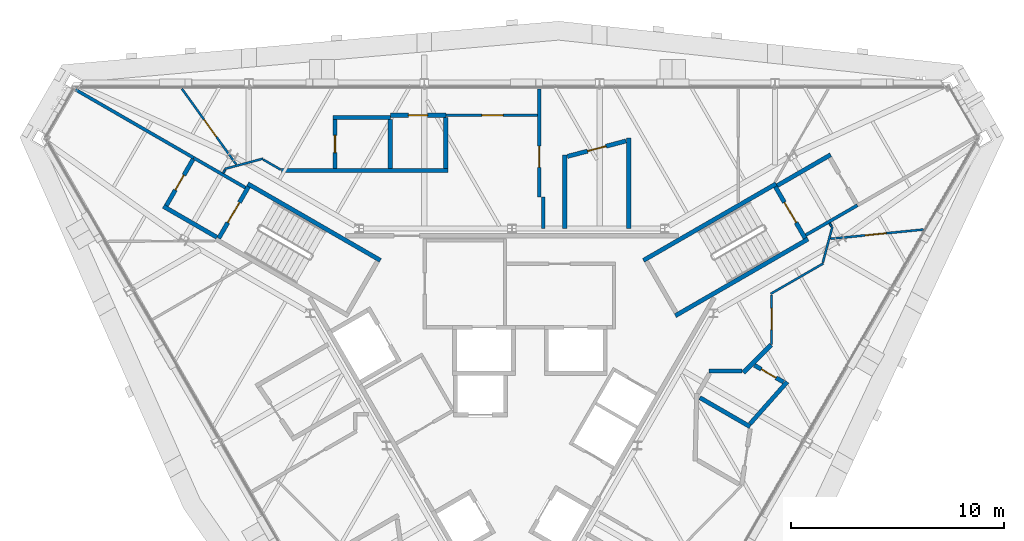
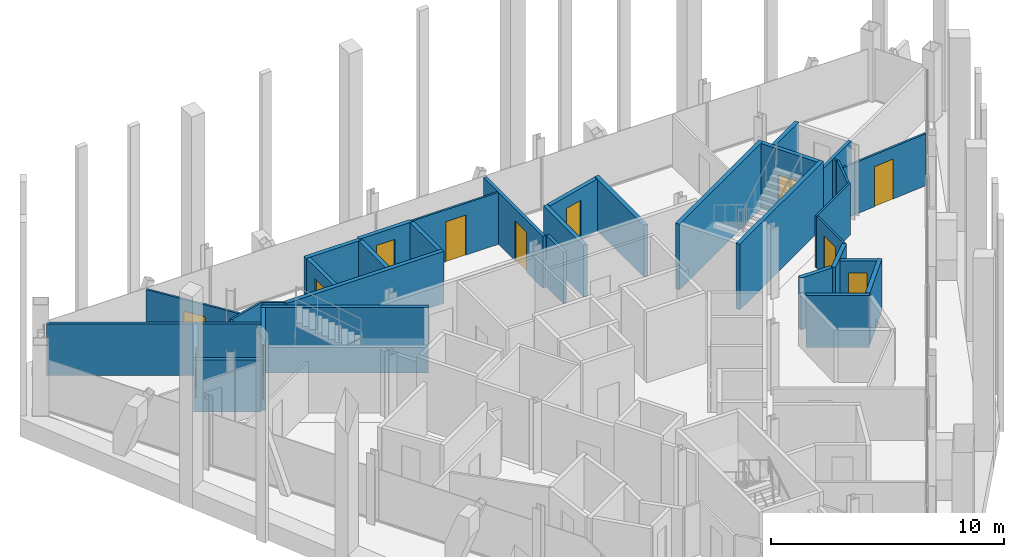
# One storey, part 10 of 13: 37 walls, 12 doors, 12 openings.
"""IFC4 building model written with IfcOpenShell, lengths in metres."""

from ifc_helpers import new_model, si_unit, direction, frame, frame_2d, origin, place, context, subcontext, project, spatial, rectangle, extrude, material, layer, layer_set, type_object, element, fill, save


model = new_model("IFC4")

# Units and contexts
model_context = context("Model", 3, precision=1e-05, world=origin(), true_north=direction((0.0, 1.0)))
body_context = subcontext(model_context, "Body", "Model", "MODEL_VIEW")
ifc_project = project(units=[si_unit("LENGTHUNIT", "METRE"), si_unit("AREAUNIT", "SQUARE_METRE"), si_unit("VOLUMEUNIT", "CUBIC_METRE"), si_unit("PLANEANGLEUNIT", "RADIAN"), si_unit("MASSUNIT", "GRAM", prefix="KILO")], contexts=[model_context])

# Site, building, storey
site_placement = place(None, origin())
site = spatial("IfcSite", under=ifc_project, at=site_placement, CompositionType="ELEMENT")
building_placement = place(site_placement, origin())
building = spatial("IfcBuilding", under=site, at=building_placement, Name="Verrane Prism Tower", CompositionType="ELEMENT")
storey_placement = place(building_placement, frame((0.0, 0.0, 275.10009765625)))
storey = spatial("IfcBuildingStorey", under=building, at=storey_placement, Name="L69", CompositionType="ELEMENT", Elevation=275.10009765625)

# Wall, opening, door
ifc_material_1 = material(Name="Concrete C40/50", Category="concrete")
ifc_layer_1 = layer(ifc_material_1, 0.199951171875)
ifc_layer_set_1 = layer_set([ifc_layer_1], Name="CW-200 stair core wall concrete C40/50 3 h")
wall_type_1 = type_object("IfcWallType", Name="CW-200 stair core wall concrete C40/50 3 h", PredefinedType="PARTITIONING", material=ifc_layer_set_1)
wall_1_placement = place(storey_placement, frame((13.777099609375, 6.337646484375, 0.0), z_axis=(0.0, 0.0, 1.0), x_axis=(-0.500049511043, 0.865996816683, 0.0)))
wall_1 = element("IfcWall", 1, at=wall_1_placement, inside=storey, type_object=wall_type_1, Name="Stair 1 enclosure wall", PredefinedType="PARTITIONING", context=body_context, shape_type="SweptSolid", body=[
    extrude(rectangle(XDim=2.800048828125, YDim=0.199951171875, at=frame_2d((1.39990234375, 0.0))), origin(), (0.0, 0.0, 1.0), 3.449951171875),
])
opening_1_placement = place(wall_1_placement, frame((0.849853515625, 0.0, 0.0)))
opening_1 = element("IfcOpeningElement", 2, at=opening_1_placement, cuts=wall_1, Name="Opening D69500", PredefinedType="OPENING", context=body_context, shape_type="SweptSolid", body=[
    extrude(rectangle(XDim=1.10009765625, YDim=2.10009765625, at=frame_2d((0.550048828125, 1.050048828125))), frame((0.0, 0.10986328125, 0.0), z_axis=(0.0, -1.0, 0.0), x_axis=(1.0, 0.0, 0.0)), (0.0, 0.0, 1.0), 0.219970703125),
])
ifc_material_2 = material(Name="Timber veneered door leaf", Category="wood")
door_type_1 = type_object("IfcDoorType", Name="DR-1100x2100 FD90 single leaf stair", OperationType="NOTDEFINED", PredefinedType="DOOR", material=ifc_material_2)
door_1_placement = place(opening_1_placement, origin())
door_1 = element("IfcDoor", 3, at=door_1_placement, inside=storey, type_object=door_type_1, Name="Stair 1 door", OperationType="SINGLE_SWING_LEFT", OverallHeight=2.10009765625, OverallWidth=1.10009765625, PredefinedType="DOOR", context=body_context, shape_type="SweptSolid", body=[
    extrude(rectangle(XDim=1.10009765625, YDim=2.10009765625, at=frame_2d((0.550048828125, 1.050048828125))), frame((0.0, 0.02490234375, 0.0), z_axis=(0.0, -1.0, 0.0), x_axis=(1.0, 0.0, 0.0)), (0.0, 0.0, 1.0), 0.050048828125),
])
fill(opening_1, door_1)

# Walls
for number, where, z_axis, x_axis, name in (
    (4, (6.17822265625, 5.299072265625, 0.0), (0.0, 0.0, 1.0), (0.866033125095, 0.499986626058, 0.0), "Stair 1 enclosure wall"),
    (5, (7.67822265625, 2.700927734375, 0.0), (0.0, 0.0, 1.0), (0.866018442252, 0.500012057535, 0.0), "Stair 1 enclosure wall"),
):
    element("IfcWall", number, at=place(storey_placement, frame(where, z_axis=z_axis, x_axis=x_axis)), inside=storey, type_object=wall_type_1, Name=name, PredefinedType="PARTITIONING", context=body_context, shape_type="SweptSolid", body=[
        extrude(rectangle(XDim=7.199951171875, YDim=0.199951171875, at=frame_2d((3.60009765625, 0.0))), origin(), (0.0, 0.0, 1.0), 3.449951171875),
    ])

# Wall, opening, door
wall_2_placement = place(storey_placement, frame((-12.376953125, 8.762451171875, 0.0), z_axis=(0.0, 0.0, 1.0), x_axis=(-0.500049511043, -0.865996816683, 0.0)))
wall_2 = element("IfcWall", 6, at=wall_2_placement, inside=storey, type_object=wall_type_1, Name="Stair 2 enclosure wall", PredefinedType="PARTITIONING", context=body_context, shape_type="SweptSolid", body=[
    extrude(rectangle(XDim=2.800048828125, YDim=0.199951171875, at=frame_2d((1.39990234375, 0.0))), origin(), (0.0, 0.0, 1.0), 3.449951171875),
])
opening_2_placement = place(wall_2_placement, frame((0.849853515625, 0.0, 0.0)))
opening_2 = element("IfcOpeningElement", 7, at=opening_2_placement, cuts=wall_2, Name="Opening D69501", PredefinedType="OPENING", context=body_context, shape_type="SweptSolid", body=[
    extrude(rectangle(XDim=1.10009765625, YDim=2.10009765625, at=frame_2d((0.550048828125, 1.050048828125))), frame((0.0, 0.10986328125, 0.0), z_axis=(0.0, -1.0, 0.0), x_axis=(1.0, 0.0, 0.0)), (0.0, 0.0, 1.0), 0.219970703125),
])
door_2_placement = place(opening_2_placement, origin())
door_2 = element("IfcDoor", 8, at=door_2_placement, inside=storey, type_object=door_type_1, Name="Stair 2 door", OperationType="SINGLE_SWING_RIGHT", OverallHeight=2.10009765625, OverallWidth=1.10009765625, PredefinedType="DOOR", context=body_context, shape_type="SweptSolid", body=[
    extrude(rectangle(XDim=1.10009765625, YDim=2.10009765625, at=frame_2d((0.550048828125, 1.050048828125))), frame((0.0, 0.02490234375, 0.0), z_axis=(0.0, -1.0, 0.0), x_axis=(1.0, 0.0, 0.0)), (0.0, 0.0, 1.0), 0.050048828125),
])
fill(opening_2, door_2)

# Wall
wall_3_placement = place(storey_placement, frame((-6.17822265625, 5.299072265625, 0.0), z_axis=(0.0, 0.0, 1.0), x_axis=(-0.866033125095, 0.499986626058, 0.0)))
element("IfcWall", 9, at=wall_3_placement, inside=storey, type_object=wall_type_1, Name="Stair 2 enclosure wall", PredefinedType="PARTITIONING", context=body_context, shape_type="SweptSolid", body=[
    extrude(rectangle(XDim=7.199951171875, YDim=0.199951171875, at=frame_2d((3.60009765625, 0.0))), origin(), (0.0, 0.0, 1.0), 3.449951171875),
])

# Wall, opening, door
ifc_material_3 = material(Name="Gypsum board partition", Category="other")
ifc_layer_2 = layer(ifc_material_3, 0.10009765625)
ifc_layer_set_2 = layer_set([ifc_layer_2], Name="PW-100 room partition")
wall_type_2 = type_object("IfcWallType", Name="PW-100 room partition", PredefinedType="PARTITIONING", material=ifc_layer_set_2)
wall_4_placement = place(storey_placement, frame((-12.957275390625, 9.811767578125, 0.0), z_axis=(0.0, 0.0, 1.0), x_axis=(-0.58313691272, 0.812373892381, 0.0)))
wall_4 = element("IfcWall", 10, at=wall_4_placement, inside=storey, type_object=wall_type_2, Name="Room partition 006", PredefinedType="PARTITIONING", context=body_context, shape_type="SweptSolid", body=[
    extrude(rectangle(XDim=4.375, YDim=0.10009765625, at=frame_2d((2.1875, 0.0))), origin(), (0.0, 0.0, 1.0), 2.722900390625),
])
opening_3_placement = place(wall_4_placement, frame((1.59033203125, 0.0, 0.0)))
opening_3 = element("IfcOpeningElement", 11, at=opening_3_placement, cuts=wall_4, Name="Opening D69017", PredefinedType="OPENING", context=body_context, shape_type="SweptSolid", body=[
    extrude(rectangle(XDim=1.0, YDim=2.10009765625, at=frame_2d((0.5, 1.050048828125))), frame((0.0, 0.06005859375, 0.0), z_axis=(0.0, -1.0, 0.0), x_axis=(1.0, 0.0, 0.0)), (0.0, 0.0, 1.0), 0.1201171875),
])
ifc_material_4 = material(Name="Timber veneered door leaf", Category="wood")
door_type_2 = type_object("IfcDoorType", Name="DR-1000x2100 single leaf inner", OperationType="NOTDEFINED", PredefinedType="DOOR", material=ifc_material_4)
door_3_placement = place(opening_3_placement, origin())
door_3 = element("IfcDoor", 12, at=door_3_placement, inside=storey, type_object=door_type_2, Name="Living And Dining Room door", OperationType="SINGLE_SWING_RIGHT", OverallHeight=2.10009765625, OverallWidth=1.0, PredefinedType="DOOR", context=body_context, shape_type="SweptSolid", body=[
    extrude(rectangle(XDim=1.0, YDim=2.10009765625, at=frame_2d((0.5, 1.050048828125))), frame((0.0, 0.02490234375, 0.0), z_axis=(0.0, -1.0, 0.0), x_axis=(1.0, 0.0, 0.0)), (0.0, 0.0, 1.0), 0.050048828125),
])
fill(opening_3, door_3)

# Walls
wall_5_placement = place(storey_placement, frame((-13.5654296875, 9.404052734375, 0.0), z_axis=(0.0, 0.0, 1.0), x_axis=(0.500181256421, 0.865920730047, 0.0)))
element("IfcWall", 13, at=wall_5_placement, inside=storey, type_object=wall_type_2, Name="Room partition 008", PredefinedType="PARTITIONING", context=body_context, shape_type="SweptSolid", body=[
    extrude(rectangle(XDim=0.1689453125, YDim=0.10009765625, at=frame_2d((0.08447265625, 0.0))), origin(), (0.0, 0.0, 1.0), 2.722900390625),
])
wall_6_placement = place(storey_placement, frame((-13.494384765625, 9.59814453125, 0.0), z_axis=(0.0, 0.0, 1.0), x_axis=(0.96601104623, 0.258500790254, 0.0)))
element("IfcWall", 14, at=wall_6_placement, inside=storey, type_object=wall_type_2, Name="Room partition 009", PredefinedType="PARTITIONING", context=body_context, shape_type="SweptSolid", body=[
    extrude(rectangle(XDim=1.8671875, YDim=0.10009765625, at=frame_2d((0.93359375, 0.0))), origin(), (0.0, 0.0, 1.0), 2.722900390625),
])
wall_7_placement = place(storey_placement, frame((-11.678466796875, 10.032958984375, 0.0), z_axis=(0.0, 0.0, 1.0), x_axis=(0.866116627388, -0.499841962787, 0.0)))
element("IfcWall", 15, at=wall_7_placement, inside=storey, type_object=wall_type_2, Name="Room partition 013", PredefinedType="PARTITIONING", context=body_context, shape_type="SweptSolid", body=[
    extrude(rectangle(XDim=0.943115234375, YDim=0.10009765625, at=frame_2d((0.4716796875, 0.0))), origin(), (0.0, 0.0, 1.0), 2.722900390625),
])

# Wall, opening, door
wall_8_placement = place(storey_placement, frame((-3.10888671875, 12.118896484375, 0.0), z_axis=(0.0, 0.0, 1.0), x_axis=(1.0, 0.0, 0.0)))
wall_8 = element("IfcWall", 16, at=wall_8_placement, inside=storey, type_object=wall_type_2, Name="Room partition 034", PredefinedType="PARTITIONING", context=body_context, shape_type="SweptSolid", body=[
    extrude(rectangle(XDim=4.31982421875, YDim=0.10009765625, at=frame_2d((2.159912109375, 0.0))), origin(), (0.0, 0.0, 1.0), 2.722900390625),
])
opening_4_placement = place(wall_8_placement, frame((1.699951171875, 0.0, 0.0)))
opening_4 = element("IfcOpeningElement", 17, at=opening_4_placement, cuts=wall_8, Name="Opening D69015", PredefinedType="OPENING", context=body_context, shape_type="SweptSolid", body=[
    extrude(rectangle(XDim=1.0, YDim=2.10009765625, at=frame_2d((0.5, 1.050048828125))), frame((0.0, 0.06005859375, 0.0), z_axis=(0.0, -1.0, 0.0), x_axis=(1.0, 0.0, 0.0)), (0.0, 0.0, 1.0), 0.1201171875),
])
door_4_placement = place(opening_4_placement, origin())
door_4 = element("IfcDoor", 18, at=door_4_placement, inside=storey, type_object=door_type_2, Name="Entrance Foyer door", OperationType="SINGLE_SWING_LEFT", OverallHeight=2.10009765625, OverallWidth=1.0, PredefinedType="DOOR", context=body_context, shape_type="SweptSolid", body=[
    extrude(rectangle(XDim=1.0, YDim=2.10009765625, at=frame_2d((0.5, 1.050048828125))), frame((0.0, 0.02490234375, 0.0), z_axis=(0.0, -1.0, 0.0), x_axis=(1.0, 0.0, 0.0)), (0.0, 0.0, 1.0), 0.050048828125),
])
fill(opening_4, door_4)

wall_9_placement = place(storey_placement, frame((12.198974609375, 3.681884765625, 0.0), z_axis=(0.0, 0.0, 1.0), x_axis=(0.0, -1.0, 0.0)))
wall_9 = element("IfcWall", 19, at=wall_9_placement, inside=storey, type_object=wall_type_2, Name="Room partition 066", PredefinedType="PARTITIONING", context=body_context, shape_type="SweptSolid", body=[
    extrude(rectangle(XDim=2.330810546875, YDim=0.10009765625, at=frame_2d((1.16552734375, 0.0))), origin(), (0.0, 0.0, 1.0), 2.722900390625),
])
opening_5_placement = place(wall_9_placement, frame((0.631103515625, 0.0, 0.0)))
opening_5 = element("IfcOpeningElement", 20, at=opening_5_placement, cuts=wall_9, Name="Opening D69006", PredefinedType="OPENING", context=body_context, shape_type="SweptSolid", body=[
    extrude(rectangle(XDim=1.0, YDim=2.10009765625, at=frame_2d((0.5, 1.050048828125))), frame((0.0, 0.06005859375, 0.0), z_axis=(0.0, -1.0, 0.0), x_axis=(1.0, 0.0, 0.0)), (0.0, 0.0, 1.0), 0.1201171875),
])
door_5_placement = place(opening_5_placement, origin())
door_5 = element("IfcDoor", 21, at=door_5_placement, inside=storey, type_object=door_type_2, Name="Entrance Foyer door", OperationType="SINGLE_SWING_LEFT", OverallHeight=2.10009765625, OverallWidth=1.0, PredefinedType="DOOR", context=body_context, shape_type="SweptSolid", body=[
    extrude(rectangle(XDim=1.0, YDim=2.10009765625, at=frame_2d((0.5, 1.050048828125))), frame((0.0, 0.02490234375, 0.0), z_axis=(0.0, -1.0, 0.0), x_axis=(1.0, 0.0, 0.0)), (0.0, 0.0, 1.0), 0.050048828125),
])
fill(opening_5, door_5)

# Walls
wall_10_placement = place(storey_placement, frame((12.15576171875, 3.72705078125, 0.0), z_axis=(0.0, 0.0, 1.0), x_axis=(0.866012137121, 0.500022977831, 0.0)))
element("IfcWall", 22, at=wall_10_placement, inside=storey, type_object=wall_type_2, Name="Room partition 067", PredefinedType="PARTITIONING", context=body_context, shape_type="SweptSolid", body=[
    extrude(rectangle(XDim=2.859619140625, YDim=0.10009765625, at=frame_2d((1.4296875, 0.0))), origin(), (0.0, 0.0, 1.0), 2.722900390625),
])
wall_11_placement = place(storey_placement, frame((14.607177734375, 5.19970703125, 0.0), z_axis=(0.0, 0.0, 1.0), x_axis=(0.258549793661, 0.965997931777, 0.0)))
element("IfcWall", 23, at=wall_11_placement, inside=storey, type_object=wall_type_2, Name="Room partition 071", PredefinedType="PARTITIONING", context=body_context, shape_type="SweptSolid", body=[
    extrude(rectangle(XDim=1.746826171875, YDim=0.10009765625, at=frame_2d((0.87353515625, 0.0))), origin(), (0.0, 0.0, 1.0), 2.722900390625),
])
wall_12_placement = place(storey_placement, frame((14.926513671875, 7.046875, 0.0), z_axis=(0.0, 0.0, 1.0), x_axis=(0.497687197367, -0.867356589631, 0.0)))
element("IfcWall", 24, at=wall_12_placement, inside=storey, type_object=wall_type_2, Name="Room partition 073", PredefinedType="PARTITIONING", context=body_context, shape_type="SweptSolid", body=[
    extrude(rectangle(XDim=0.169677734375, YDim=0.10009765625, at=frame_2d((0.0849609375, 0.0))), origin(), (0.0, 0.0, 1.0), 2.722900390625),
])

# Wall, opening, door
wall_13_placement = place(storey_placement, frame((14.975830078125, 6.315185546875, 0.0), z_axis=(0.0, 0.0, 1.0), x_axis=(0.995082940066, 0.09904515329, 0.0)))
wall_13 = element("IfcWall", 25, at=wall_13_placement, inside=storey, type_object=wall_type_2, Name="Room partition 074", PredefinedType="PARTITIONING", context=body_context, shape_type="SweptSolid", body=[
    extrude(rectangle(XDim=4.375244140625, YDim=0.10009765625, at=frame_2d((2.1875, 0.0))), origin(), (0.0, 0.0, 1.0), 2.722900390625),
])
opening_6_placement = place(wall_13_placement, frame((1.627685546875, 0.0, 0.0)))
opening_6 = element("IfcOpeningElement", 26, at=opening_6_placement, cuts=wall_13, Name="Opening D69008", PredefinedType="OPENING", context=body_context, shape_type="SweptSolid", body=[
    extrude(rectangle(XDim=1.0, YDim=2.10009765625, at=frame_2d((0.5, 1.050048828125))), frame((0.0, 0.06005859375, 0.0), z_axis=(0.0, -1.0, 0.0), x_axis=(1.0, 0.0, 0.0)), (0.0, 0.0, 1.0), 0.1201171875),
])
door_6_placement = place(opening_6_placement, origin())
door_6 = element("IfcDoor", 27, at=door_6_placement, inside=storey, type_object=door_type_2, Name="Living And Dining Room door", OperationType="SINGLE_SWING_RIGHT", OverallHeight=2.10009765625, OverallWidth=1.0, PredefinedType="DOOR", context=body_context, shape_type="SweptSolid", body=[
    extrude(rectangle(XDim=1.0, YDim=2.10009765625, at=frame_2d((0.5, 1.050048828125))), frame((0.0, 0.02490234375, 0.0), z_axis=(0.0, -1.0, 0.0), x_axis=(1.0, 0.0, 0.0)), (0.0, 0.0, 1.0), 0.050048828125),
])
fill(opening_6, door_6)

# Walls
ifc_material_5 = material(Name="Gypsum board partition", Category="other")
ifc_layer_3 = layer(ifc_material_5, 0.14990234375)
ifc_layer_set_3 = layer_set([ifc_layer_3], Name="PW-150 demising wall 1 h")
wall_type_3 = type_object("IfcWallType", Name="PW-150 demising wall 1 h", PredefinedType="PARTITIONING", material=ifc_layer_set_3)
wall_14_placement = place(storey_placement, frame((-20.505859375, 13.323974609375, 0.0), z_axis=(0.0, 0.0, 1.0), x_axis=(0.866004971522, -0.500035388047, 0.0)))
element("IfcWall", 28, at=wall_14_placement, inside=storey, type_object=wall_type_3, Name="Demising wall 001", PredefinedType="PARTITIONING", context=body_context, shape_type="SweptSolid", body=[
    extrude(rectangle(XDim=6.41552734375, YDim=0.14990234375, at=frame_2d((3.207763671875, 0.0))), origin(), (0.0, 0.0, 1.0), 2.722900390625),
])
wall_15_placement = place(storey_placement, frame((-14.945068359375, 10.114013671875, 0.0), z_axis=(0.0, 0.0, 1.0), x_axis=(0.865969158485, -0.500097407065, 0.0)))
element("IfcWall", 29, at=wall_15_placement, inside=storey, type_object=wall_type_3, Name="Demising wall 007", PredefinedType="PARTITIONING", context=body_context, shape_type="SweptSolid", body=[
    extrude(rectangle(XDim=2.79931640625, YDim=0.14990234375, at=frame_2d((1.399658203125, 0.0))), origin(), (0.0, 0.0, 1.0), 2.722900390625),
])

# Wall, opening, door
wall_16_placement = place(storey_placement, frame((1.285888671875, 13.35107421875, 0.0), z_axis=(0.0, 0.0, 1.0), x_axis=(0.0, -1.0, 0.0)))
wall_16 = element("IfcWall", 30, at=wall_16_placement, inside=storey, type_object=wall_type_3, Name="Demising wall 042", PredefinedType="PARTITIONING", context=body_context, shape_type="SweptSolid", body=[
    extrude(rectangle(XDim=5.08203125, YDim=0.14990234375, at=frame_2d((2.541015625, 0.0))), origin(), (0.0, 0.0, 1.0), 2.722900390625),
])
opening_7_placement = place(wall_16_placement, frame((2.681884765625, 0.0, 0.0)))
opening_7 = element("IfcOpeningElement", 31, at=opening_7_placement, cuts=wall_16, Name="Opening D69011", PredefinedType="OPENING", context=body_context, shape_type="SweptSolid", body=[
    extrude(rectangle(XDim=1.0, YDim=2.10009765625, at=frame_2d((0.5, 1.050048828125))), frame((0.0, 0.0849609375, 0.0), z_axis=(0.0, -1.0, 0.0), x_axis=(1.0, 0.0, 0.0)), (0.0, 0.0, 1.0), 0.169921875),
])
ifc_material_6 = material(Name="Timber veneered door leaf", Category="wood")
door_type_3 = type_object("IfcDoorType", Name="DR-1000x2100 FD20 single leaf inner", OperationType="NOTDEFINED", PredefinedType="DOOR", material=ifc_material_6)
door_7_placement = place(opening_7_placement, origin())
door_7 = element("IfcDoor", 32, at=door_7_placement, inside=storey, type_object=door_type_3, Name="Entrance Foyer door", OperationType="SINGLE_SWING_RIGHT", OverallHeight=2.10009765625, OverallWidth=1.0, PredefinedType="DOOR", context=body_context, shape_type="SweptSolid", body=[
    extrude(rectangle(XDim=1.0, YDim=2.10009765625, at=frame_2d((0.5, 1.050048828125))), frame((0.0, 0.02490234375, 0.0), z_axis=(0.0, -1.0, 0.0), x_axis=(1.0, 0.0, 0.0)), (0.0, 0.0, 1.0), 0.050048828125),
])
fill(opening_7, door_7)

# Walls
wall_17_placement = place(storey_placement, frame((1.468994140625, 6.800048828125, 0.0), z_axis=(0.0, 0.0, 1.0), x_axis=(0.0, 1.0, 0.0)))
element("IfcWall", 33, at=wall_17_placement, inside=storey, type_object=wall_type_3, Name="Demising wall 044", PredefinedType="PARTITIONING", context=body_context, shape_type="SweptSolid", body=[
    extrude(rectangle(XDim=1.468994140625, YDim=0.14990234375, at=frame_2d((0.734375, 0.0))), origin(), (0.0, 0.0, 1.0), 2.722900390625),
])
wall_18_placement = place(storey_placement, frame((13.805908203125, 6.487060546875, 0.0), z_axis=(0.0, 0.0, 1.0), x_axis=(0.866056369097, 0.49994636267, 0.0)))
element("IfcWall", 34, at=wall_18_placement, inside=storey, type_object=wall_type_3, Name="Demising wall 070", PredefinedType="PARTITIONING", context=body_context, shape_type="SweptSolid", body=[
    extrude(rectangle(XDim=2.800048828125, YDim=0.14990234375, at=frame_2d((1.39990234375, 0.0))), origin(), (0.0, 0.0, 1.0), 2.722900390625),
])

# Wall, opening, door
ifc_material_7 = material(Name="Gypsum board partition", Category="other")
ifc_layer_4 = layer(ifc_material_7, 0.199951171875)
ifc_layer_set_4 = layer_set([ifc_layer_4], Name="PW-200 plumbing wall")
wall_type_4 = type_object("IfcWallType", Name="PW-200 plumbing wall", PredefinedType="PARTITIONING", material=ifc_layer_set_4)
wall_19_placement = place(storey_placement, frame((-14.985107421875, 10.044677734375, 0.0), z_axis=(0.0, 0.0, 1.0), x_axis=(-0.499995137693, -0.86602821102, 0.0)))
wall_19 = element("IfcWall", 35, at=wall_19_placement, inside=storey, type_object=wall_type_4, Name="Plumbing wall 004", PredefinedType="PARTITIONING", context=body_context, shape_type="SweptSolid", body=[
    extrude(rectangle(XDim=2.505859375, YDim=0.199951171875, at=frame_2d((1.2529296875, 0.0))), origin(), (0.0, 0.0, 1.0), 2.722900390625),
])
opening_8_placement = place(wall_19_placement, frame((0.85595703125, 0.0, 0.0)))
opening_8 = element("IfcOpeningElement", 36, at=opening_8_placement, cuts=wall_19, Name="Opening D69023", PredefinedType="OPENING", context=body_context, shape_type="SweptSolid", body=[
    extrude(rectangle(XDim=0.800048828125, YDim=2.10009765625, at=frame_2d((0.39990234375, 1.050048828125))), frame((0.0, 0.10986328125, 0.0), z_axis=(0.0, -1.0, 0.0), x_axis=(1.0, 0.0, 0.0)), (0.0, 0.0, 1.0), 0.219970703125),
])
ifc_material_8 = material(Name="Timber veneered door leaf", Category="wood")
door_type_4 = type_object("IfcDoorType", Name="DR-800x2100 single leaf bath", OperationType="NOTDEFINED", PredefinedType="DOOR", material=ifc_material_8)
door_8_placement = place(opening_8_placement, origin())
door_8 = element("IfcDoor", 37, at=door_8_placement, inside=storey, type_object=door_type_4, Name="Master Bathroom door", OperationType="SINGLE_SWING_RIGHT", OverallHeight=2.10009765625, OverallWidth=0.800048828125, PredefinedType="DOOR", context=body_context, shape_type="SweptSolid", body=[
    extrude(rectangle(XDim=0.800048828125, YDim=2.10009765625, at=frame_2d((0.39990234375, 1.050048828125))), frame((0.0, 0.02490234375, 0.0), z_axis=(0.0, -1.0, 0.0), x_axis=(1.0, 0.0, 0.0)), (0.0, 0.0, 1.0), 0.050048828125),
])
fill(opening_8, door_8)

# Walls
wall_20_placement = place(storey_placement, frame((-16.37451171875, 7.838134765625, 0.0), z_axis=(0.0, 0.0, 1.0), x_axis=(0.865912083802, -0.500196224622, 0.0)))
element("IfcWall", 38, at=wall_20_placement, inside=storey, type_object=wall_type_4, Name="Plumbing wall 005", PredefinedType="PARTITIONING", context=body_context, shape_type="SweptSolid", body=[
    extrude(rectangle(XDim=2.899169921875, YDim=0.199951171875, at=frame_2d((1.44970703125, 0.0))), origin(), (0.0, 0.0, 1.0), 2.722900390625),
])
wall_21_placement = place(storey_placement, frame((-10.837890625, 9.51904296875, 0.0), z_axis=(0.0, 0.0, 1.0), x_axis=(1.0, 0.0, 0.0)))
element("IfcWall", 39, at=wall_21_placement, inside=storey, type_object=wall_type_4, Name="Plumbing wall 015", PredefinedType="PARTITIONING", context=body_context, shape_type="SweptSolid", body=[
    extrude(rectangle(XDim=7.823974609375, YDim=0.199951171875, at=frame_2d((3.912109375, 0.0))), origin(), (0.0, 0.0, 1.0), 2.722900390625),
])

# Wall, opening, door
wall_22_placement = place(storey_placement, frame((-8.31396484375, 11.9189453125, 0.0), z_axis=(0.0, 0.0, 1.0), x_axis=(0.0, -1.0, 0.0)))
wall_22 = element("IfcWall", 40, at=wall_22_placement, inside=storey, type_object=wall_type_4, Name="Plumbing wall 017", PredefinedType="PARTITIONING", context=body_context, shape_type="SweptSolid", body=[
    extrude(rectangle(XDim=2.300048828125, YDim=0.199951171875, at=frame_2d((1.14990234375, 0.0))), origin(), (0.0, 0.0, 1.0), 2.722900390625),
])
opening_9_placement = place(wall_22_placement, frame((0.75, 0.0, 0.0)))
opening_9 = element("IfcOpeningElement", 41, at=opening_9_placement, cuts=wall_22, Name="Opening D69018", PredefinedType="OPENING", context=body_context, shape_type="SweptSolid", body=[
    extrude(rectangle(XDim=0.800048828125, YDim=2.10009765625, at=frame_2d((0.39990234375, 1.050048828125))), frame((0.0, 0.10986328125, 0.0), z_axis=(0.0, -1.0, 0.0), x_axis=(1.0, 0.0, 0.0)), (0.0, 0.0, 1.0), 0.219970703125),
])
ifc_material_9 = material(Name="Timber veneered door leaf", Category="wood")
door_type_5 = type_object("IfcDoorType", Name="DR-800x2100 single leaf inner", OperationType="NOTDEFINED", PredefinedType="DOOR", material=ifc_material_9)
door_9_placement = place(opening_9_placement, origin())
door_9 = element("IfcDoor", 42, at=door_9_placement, inside=storey, type_object=door_type_5, Name="Bathroom door", OperationType="SINGLE_SWING_LEFT", OverallHeight=2.10009765625, OverallWidth=0.800048828125, PredefinedType="DOOR", context=body_context, shape_type="SweptSolid", body=[
    extrude(rectangle(XDim=0.800048828125, YDim=2.10009765625, at=frame_2d((0.39990234375, 1.050048828125))), frame((0.0, 0.02490234375, 0.0), z_axis=(0.0, -1.0, 0.0), x_axis=(1.0, 0.0, 0.0)), (0.0, 0.0, 1.0), 0.050048828125),
])
fill(opening_9, door_9)

# Walls
wall_23_placement = place(storey_placement, frame((-8.4140625, 12.01904296875, 0.0), z_axis=(0.0, 0.0, 1.0), x_axis=(1.0, 0.0, 0.0)))
element("IfcWall", 43, at=wall_23_placement, inside=storey, type_object=wall_type_4, Name="Plumbing wall 018", PredefinedType="PARTITIONING", context=body_context, shape_type="SweptSolid", body=[
    extrude(rectangle(XDim=2.699951171875, YDim=0.199951171875, at=frame_2d((1.35009765625, 0.0))), origin(), (0.0, 0.0, 1.0), 2.722900390625),
])
wall_24_placement = place(storey_placement, frame((-5.714111328125, 9.618896484375, 0.0), z_axis=(0.0, 0.0, 1.0), x_axis=(0.0, 1.0, 0.0)))
element("IfcWall", 44, at=wall_24_placement, inside=storey, type_object=wall_type_4, Name="Plumbing wall 025", PredefinedType="PARTITIONING", context=body_context, shape_type="SweptSolid", body=[
    extrude(rectangle(XDim=2.300048828125, YDim=0.199951171875, at=frame_2d((1.14990234375, 0.0))), origin(), (0.0, 0.0, 1.0), 2.722900390625),
])

# Wall, opening, door
wall_25_placement = place(storey_placement, frame((-3.10888671875, 12.118896484375, 0.0), z_axis=(0.0, 0.0, 1.0), x_axis=(-1.0, 0.0, 0.0)))
wall_25 = element("IfcWall", 45, at=wall_25_placement, inside=storey, type_object=wall_type_4, Name="Plumbing wall 026", PredefinedType="PARTITIONING", context=body_context, shape_type="SweptSolid", body=[
    extrude(rectangle(XDim=2.605224609375, YDim=0.199951171875, at=frame_2d((1.302734375, 0.0))), origin(), (0.0, 0.0, 1.0), 2.722900390625),
])
opening_10_placement = place(wall_25_placement, frame((0.85498046875, 0.0, 0.0)))
opening_10 = element("IfcOpeningElement", 46, at=opening_10_placement, cuts=wall_25, Name="Opening D69016", PredefinedType="OPENING", context=body_context, shape_type="SweptSolid", body=[
    extrude(rectangle(XDim=0.89990234375, YDim=2.10009765625, at=frame_2d((0.449951171875, 1.050048828125))), frame((0.0, 0.10986328125, 0.0), z_axis=(0.0, -1.0, 0.0), x_axis=(1.0, 0.0, 0.0)), (0.0, 0.0, 1.0), 0.219970703125),
])
ifc_material_10 = material(Name="Timber veneered door leaf", Category="wood")
door_type_6 = type_object("IfcDoorType", Name="DR-900x2100 single leaf inner", OperationType="NOTDEFINED", PredefinedType="DOOR", material=ifc_material_10)
door_10_placement = place(opening_10_placement, origin())
door_10 = element("IfcDoor", 47, at=door_10_placement, inside=storey, type_object=door_type_6, Name="Kitchen door", OperationType="SINGLE_SWING_LEFT", OverallHeight=2.10009765625, OverallWidth=0.89990234375, PredefinedType="DOOR", context=body_context, shape_type="SweptSolid", body=[
    extrude(rectangle(XDim=0.89990234375, YDim=2.10009765625, at=frame_2d((0.449951171875, 1.050048828125))), frame((0.0, 0.02490234375, 0.0), z_axis=(0.0, -1.0, 0.0), x_axis=(1.0, 0.0, 0.0)), (0.0, 0.0, 1.0), 0.050048828125),
])
fill(opening_10, door_10)

# Walls
wall_26_placement = place(storey_placement, frame((-3.114013671875, 9.618896484375, 0.0), z_axis=(0.0, 0.0, 1.0), x_axis=(0.0, 1.0, 0.0)))
element("IfcWall", 48, at=wall_26_placement, inside=storey, type_object=wall_type_4, Name="Plumbing wall 033", PredefinedType="PARTITIONING", context=body_context, shape_type="SweptSolid", body=[
    extrude(rectangle(XDim=2.400146484375, YDim=0.199951171875, at=frame_2d((1.2001953125, 0.0))), origin(), (0.0, 0.0, 1.0), 2.722900390625),
])
wall_27_placement = place(storey_placement, frame((2.486083984375, 6.800048828125, 0.0), z_axis=(0.0, 0.0, 1.0), x_axis=(0.0, 1.0, 0.0)))
element("IfcWall", 49, at=wall_27_placement, inside=storey, type_object=wall_type_4, Name="Plumbing wall 048", PredefinedType="PARTITIONING", context=body_context, shape_type="SweptSolid", body=[
    extrude(rectangle(XDim=3.452880859375, YDim=0.199951171875, at=frame_2d((1.7265625, 0.0))), origin(), (0.0, 0.0, 1.0), 2.722900390625),
])

# Wall, opening, door
wall_28_placement = place(storey_placement, frame((5.3603515625, 10.911865234375, 0.0), z_axis=(0.0, 0.0, 1.0), x_axis=(-0.966866921155, -0.255280936963, 0.0)))
wall_28 = element("IfcWall", 50, at=wall_28_placement, inside=storey, type_object=wall_type_4, Name="Plumbing wall 049", PredefinedType="PARTITIONING", context=body_context, shape_type="SweptSolid", body=[
    extrude(rectangle(XDim=2.852783203125, YDim=0.199951171875, at=frame_2d((1.42626953125, 0.0))), origin(), (0.0, 0.0, 1.0), 2.722900390625),
])
opening_11_placement = place(wall_28_placement, frame((0.972900390625, 0.0, 0.0)))
opening_11 = element("IfcOpeningElement", 51, at=opening_11_placement, cuts=wall_28, Name="Opening D69012", PredefinedType="OPENING", context=body_context, shape_type="SweptSolid", body=[
    extrude(rectangle(XDim=0.89990234375, YDim=2.10009765625, at=frame_2d((0.449951171875, 1.050048828125))), frame((0.0, 0.10986328125, 0.0), z_axis=(0.0, -1.0, 0.0), x_axis=(1.0, 0.0, 0.0)), (0.0, 0.0, 1.0), 0.219970703125),
])
door_11_placement = place(opening_11_placement, origin())
door_11 = element("IfcDoor", 52, at=door_11_placement, inside=storey, type_object=door_type_6, Name="Kitchen door", OperationType="SINGLE_SWING_LEFT", OverallHeight=2.10009765625, OverallWidth=0.89990234375, PredefinedType="DOOR", context=body_context, shape_type="SweptSolid", body=[
    extrude(rectangle(XDim=0.89990234375, YDim=2.10009765625, at=frame_2d((0.449951171875, 1.050048828125))), frame((0.0, 0.02490234375, 0.0), z_axis=(0.0, -1.0, 0.0), x_axis=(1.0, 0.0, 0.0)), (0.0, 0.0, 1.0), 0.050048828125),
])
fill(opening_11, door_11)

# Walls
wall_29_placement = place(storey_placement, frame((5.486083984375, 6.800048828125, 0.0), z_axis=(0.0, 0.0, 1.0), x_axis=(0.0, 1.0, 0.0)))
element("IfcWall", 53, at=wall_29_placement, inside=storey, type_object=wall_type_4, Name="Plumbing wall 053", PredefinedType="PARTITIONING", context=body_context, shape_type="SweptSolid", body=[
    extrude(rectangle(XDim=4.244873046875, YDim=0.199951171875, at=frame_2d((2.12255859375, 0.0))), origin(), (0.0, 0.0, 1.0), 2.722900390625),
])
wall_30_placement = place(storey_placement, frame((8.828125, -1.149169921875, 0.0), z_axis=(0.0, 0.0, 1.0), x_axis=(0.865853899269, -0.50029693695, 0.0)))
element("IfcWall", 54, at=wall_30_placement, inside=storey, type_object=wall_type_4, Name="Plumbing wall 059", PredefinedType="PARTITIONING", context=body_context, shape_type="SweptSolid", body=[
    extrude(rectangle(XDim=2.734130859375, YDim=0.199951171875, at=frame_2d((1.3671875, 0.0))), origin(), (0.0, 0.0, 1.0), 2.722900390625),
])
wall_31_placement = place(storey_placement, frame((9.2529296875, 0.10107421875, 0.0), z_axis=(0.0, 0.0, 1.0), x_axis=(1.0, 0.0, 0.0)))
element("IfcWall", 55, at=wall_31_placement, inside=storey, type_object=wall_type_4, Name="Plumbing wall 060", PredefinedType="PARTITIONING", context=body_context, shape_type="SweptSolid", body=[
    extrude(rectangle(XDim=1.55615234375, YDim=0.199951171875, at=frame_2d((0.778076171875, 0.0))), origin(), (0.0, 0.0, 1.0), 2.722900390625),
])
wall_32_placement = place(storey_placement, frame((10.878173828125, 0.0302734375, 0.0), z_axis=(0.0, 0.0, 1.0), x_axis=(0.707173379423, 0.707040176677, 0.0)))
element("IfcWall", 56, at=wall_32_placement, inside=storey, type_object=wall_type_4, Name="Plumbing wall 063", PredefinedType="PARTITIONING", context=body_context, shape_type="SweptSolid", body=[
    extrude(rectangle(XDim=1.832763671875, YDim=0.199951171875, at=frame_2d((0.91650390625, 0.0))), origin(), (0.0, 0.0, 1.0), 2.722900390625),
])
wall_33_placement = place(storey_placement, frame((11.1884765625, -2.377197265625, 0.0), z_axis=(0.0, 0.0, 1.0), x_axis=(0.663045631266, 0.748578981043, 0.0)))
element("IfcWall", 57, at=wall_33_placement, inside=storey, type_object=wall_type_4, Name="Plumbing wall 064", PredefinedType="PARTITIONING", context=body_context, shape_type="SweptSolid", body=[
    extrude(rectangle(XDim=2.634521484375, YDim=0.199951171875, at=frame_2d((1.3173828125, 0.0))), origin(), (0.0, 0.0, 1.0), 2.722900390625),
])

# Wall, opening, door
wall_34_placement = place(storey_placement, frame((12.7607421875, -0.41748046875, 0.0), z_axis=(0.0, 0.0, 1.0), x_axis=(-0.866030680601, 0.499990860175, 0.0)))
wall_34 = element("IfcWall", 58, at=wall_34_placement, inside=storey, type_object=wall_type_4, Name="Plumbing wall 065", PredefinedType="PARTITIONING", context=body_context, shape_type="SweptSolid", body=[
    extrude(rectangle(XDim=1.57470703125, YDim=0.199951171875, at=frame_2d((0.787353515625, 0.0))), origin(), (0.0, 0.0, 1.0), 2.722900390625),
])
opening_12_placement = place(wall_34_placement, frame((0.405029296875, 0.0, 0.0)))
opening_12 = element("IfcOpeningElement", 59, at=opening_12_placement, cuts=wall_34, Name="Opening D69009", PredefinedType="OPENING", context=body_context, shape_type="SweptSolid", body=[
    extrude(rectangle(XDim=0.800048828125, YDim=2.10009765625, at=frame_2d((0.39990234375, 1.050048828125))), frame((0.0, 0.10986328125, 0.0), z_axis=(0.0, -1.0, 0.0), x_axis=(1.0, 0.0, 0.0)), (0.0, 0.0, 1.0), 0.219970703125),
])
door_12_placement = place(opening_12_placement, origin())
door_12 = element("IfcDoor", 60, at=door_12_placement, inside=storey, type_object=door_type_5, Name="Bathroom door", OperationType="SINGLE_SWING_RIGHT", OverallHeight=2.10009765625, OverallWidth=0.800048828125, PredefinedType="DOOR", context=body_context, shape_type="SweptSolid", body=[
    extrude(rectangle(XDim=0.800048828125, YDim=2.10009765625, at=frame_2d((0.39990234375, 1.050048828125))), frame((0.0, 0.02490234375, 0.0), z_axis=(0.0, -1.0, 0.0), x_axis=(1.0, 0.0, 0.0)), (0.0, 0.0, 1.0), 0.050048828125),
])
fill(opening_12, door_12)

# Wall
wall_35_placement = place(storey_placement, frame((12.464111328125, 8.81298828125, 0.0), z_axis=(0.0, 0.0, 1.0), x_axis=(0.865948555758, 0.50013308107, 0.0)))
element("IfcWall", 61, at=wall_35_placement, inside=storey, type_object=wall_type_4, Name="Plumbing wall 069", PredefinedType="PARTITIONING", context=body_context, shape_type="SweptSolid", body=[
    extrude(rectangle(XDim=2.899169921875, YDim=0.199951171875, at=frame_2d((1.44970703125, 0.0))), origin(), (0.0, 0.0, 1.0), 2.722900390625),
])

save(model, "model.ifc")
